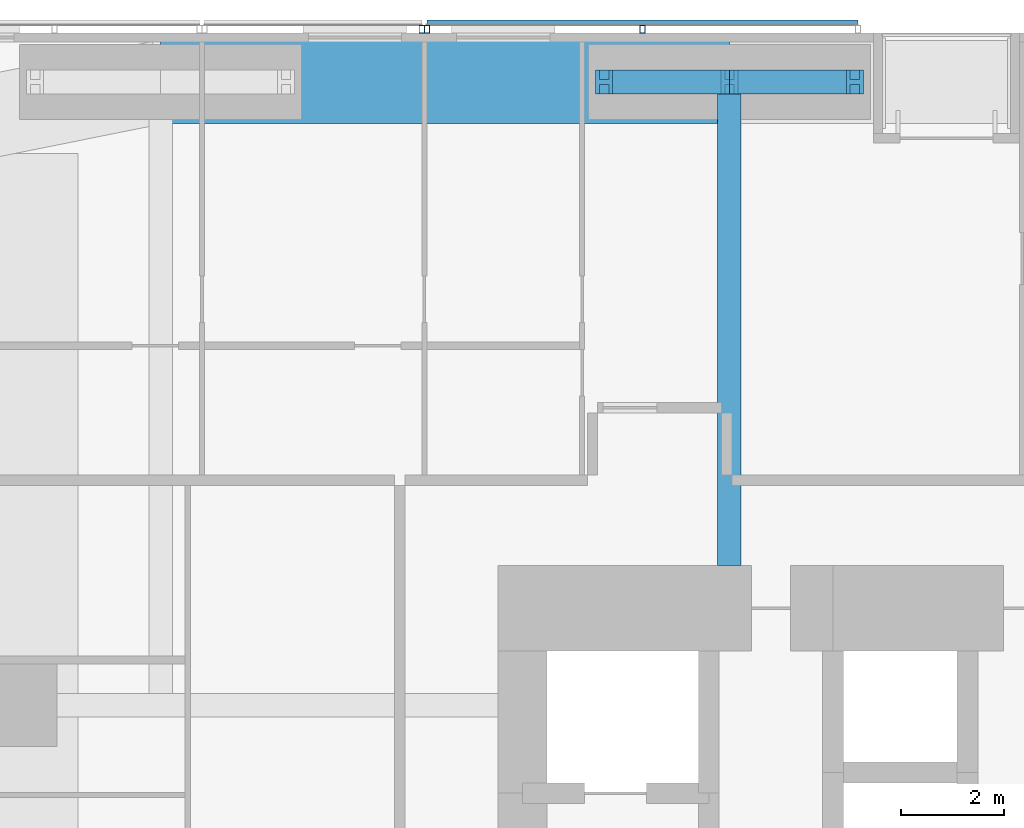
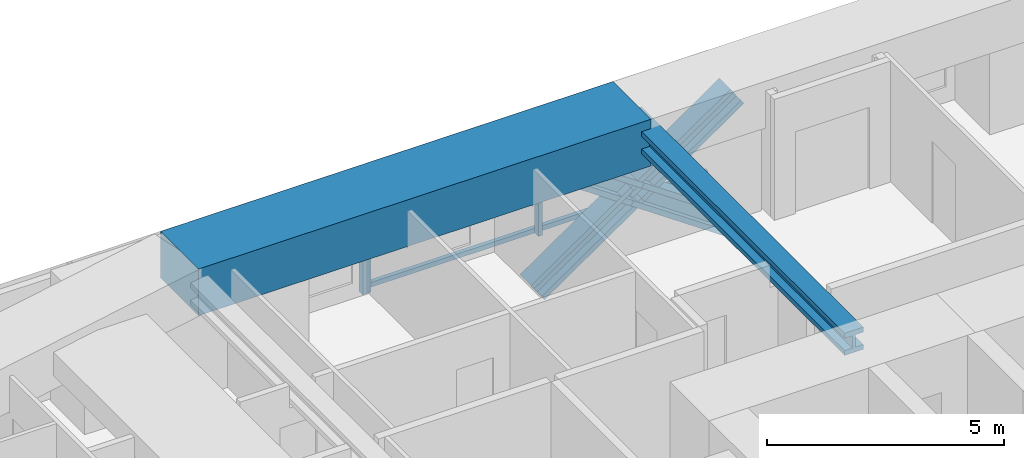
# One storey, part 12 of 23: 8 members, 2 beams, 2 elements without a shape of their own.
"""IFC4 building model written with IfcOpenShell, lengths in metres."""

from ifc_helpers import new_model, si_unit, direction, frame, origin, origin_2d, place, context, subcontext, project, spatial, rectangle, hollow_rectangle, i_section, extrude, material, material_profile, profile_set, type_object, element, aggregate, save


model = new_model("IFC4")

# Units and contexts
model_context = context("Model", 3, precision=1e-05, world=origin(), true_north=direction((0.0, 1.0)))
body_context = subcontext(model_context, "Body", "Model", "MODEL_VIEW")
ifc_project = project(units=[si_unit("LENGTHUNIT", "METRE"), si_unit("AREAUNIT", "SQUARE_METRE"), si_unit("VOLUMEUNIT", "CUBIC_METRE"), si_unit("PLANEANGLEUNIT", "RADIAN"), si_unit("MASSUNIT", "GRAM", prefix="KILO")], contexts=[model_context])

# Site, building, storey
site_placement = place(None, origin())
site = spatial("IfcSite", under=ifc_project, at=site_placement, CompositionType="ELEMENT")
building_placement = place(site_placement, origin())
building = spatial("IfcBuilding", under=site, at=building_placement, Name="Jalousie Tower", CompositionType="ELEMENT")
storey_placement = place(building_placement, frame((0.0, 0.0, 31.050048828125)))
storey = spatial("IfcBuildingStorey", under=building, at=storey_placement, Name="L07", CompositionType="ELEMENT", Elevation=31.050048828125)

# Beam
ifc_material_1 = material(Name="Steel ASTM A992 Grade 50", Category="steel")
ifc_material_profile_1 = material_profile(ifc_material_1, i_section(OverallWidth=0.45458984375, OverallDepth=0.569091796875, WebThickness=0.077880859375, FlangeThickness=0.124755859375, at=origin_2d()), Name="W14X730")
ifc_profile_set_1 = profile_set([ifc_material_profile_1], Name="Steel ASTM A992 Grade 50")
beam_type_1 = type_object("IfcBeamType", Name="LEAN COLLECTOR W14X730", PredefinedType="BEAM", material=ifc_profile_set_1)
beam_1_placement = place(storey_placement, frame((24.0, 37.050048828125, 2.825439453125), z_axis=(0.0, -1.0, 0.0), x_axis=(1.0, 0.0, 0.0)))
element("IfcBeam", 1, at=beam_1_placement, inside=storey, type_object=beam_type_1, Name="Lean collector under L08", PredefinedType="BEAM", context=body_context, shape_type="SweptSolid", body=[
    extrude(i_section(OverallWidth=0.45458984375, OverallDepth=0.569091796875, WebThickness=0.077880859375, FlangeThickness=0.124755859375, at=origin_2d()), origin(), (0.0, 0.0, 1.0), 9.35009765625),
])

# Members
ifc_material_2 = material(Name="Steel ASTM A992 Grade 50", Category="steel")
ifc_material_profile_2 = material_profile(ifc_material_2, i_section(OverallWidth=0.472412109375, OverallDepth=0.5791015625, WebThickness=0.094970703125, FlangeThickness=0.1298828125, at=origin_2d()), Name="W14X808")
ifc_profile_set_2 = profile_set([ifc_material_profile_2], Name="Steel ASTM A992 Grade 50")
member_type_1 = type_object("IfcMemberType", Name="PERIMETER BRACE W14X808", PredefinedType="BRACE", material=ifc_profile_set_2)
for number, where, z_axis, x_axis, name in (
    (2, (21.574951171875, 37.050048828125, -0.60009765625), (0.822800062329, 0.0, 0.568330940062), (0.0, 1.0, 0.0), "Perimeter brace 10 L07 part 1"),
    (3, (24.0, 37.050048828125, 1.074951171875), (0.822800062329, 0.0, 0.568330940062), (0.0, 1.0, 0.0), "Perimeter brace 10 L07 part 2"),
    (4, (26.425048828125, 37.050048828125, -0.60009765625), (-0.822800062329, 0.0, 0.568330940062), (0.0, -1.0, 0.0), "Perimeter brace 10 L07 part 3"),
    (5, (24.0, 37.050048828125, 1.074951171875), (-0.822800062329, 0.0, 0.568330940062), (0.0, -1.0, 0.0), "Perimeter brace 10 L07 part 4"),
):
    element("IfcMember", number, at=place(storey_placement, frame(where, z_axis=z_axis, x_axis=x_axis)), inside=storey, type_object=member_type_1, Name=name, PredefinedType="BRACE", context=body_context, shape_type="SweptSolid", body=[
        extrude(i_section(OverallWidth=0.472412109375, OverallDepth=0.5791015625, WebThickness=0.094970703125, FlangeThickness=0.1298828125, at=origin_2d()), origin(), (0.0, 0.0, 1.0), 2.947265625),
    ])

# Beam
ifc_material_3 = material(Name="Concrete f'c 40 MPa", Category="concrete")
ifc_material_profile_3 = material_profile(ifc_material_3, rectangle(XDim=1.60009765625, YDim=1.199951171875, at=origin_2d()), Name="RC 1600x1200")
ifc_profile_set_3 = profile_set([ifc_material_profile_3], Name="Concrete f'c 40 MPa")
beam_type_2 = type_object("IfcBeamType", Name="RC BEAM 1600x1200", PredefinedType="BEAM", material=ifc_profile_set_3)
beam_2_placement = place(storey_placement, frame((24.0, 37.050048828125, 2.75), z_axis=(-1.0, 0.0, 0.0), x_axis=(0.0, -1.0, 0.0)))
element("IfcBeam", 6, at=beam_2_placement, inside=storey, type_object=beam_type_2, Name="Edge band beam 10-11 under L08", PredefinedType="BEAM", context=body_context, shape_type="SweptSolid", body=[
    extrude(rectangle(XDim=1.60009765625, YDim=1.199951171875, at=origin_2d()), origin(), (0.0, 0.0, 1.0), 11.0),
])

# Curtain wall, members
ifc_material_4 = material(Name="Perforated aluminium sheet", Category="aluminium")
curtain_wall_type = type_object("IfcCurtainWallType", Name="SOLAR SCREEN SS-1", PredefinedType="USERDEFINED", material=ifc_material_4)
curtain_wall_1_placement = place(storey_placement, origin())
curtain_wall_1 = element("IfcCurtainWall", 7, at=curtain_wall_1_placement, inside=storey, type_object=curtain_wall_type, Name="Solar screen L07", ObjectType="SOLAR SCREEN SS-1", PredefinedType="USERDEFINED")
ifc_material_5 = material(Name="Steel ASTM A500 Grade C", Category="steel")
ifc_material_profile_4 = material_profile(ifc_material_5, hollow_rectangle(XDim=0.1015625, YDim=0.15234375, WallThickness=0.00634765625, at=origin_2d()), Name="HSS6X4X1/4")
ifc_profile_set_4 = profile_set([ifc_material_profile_4], Name="Steel ASTM A500 Grade C")
member_type_2 = type_object("IfcMemberType", Name="SOLAR SCREEN SS-1 MULLION", PredefinedType="MULLION", material=ifc_profile_set_4)
member_1_placement = place(storey_placement, frame((22.316650390625, 38.0712890625, -0.1201171875), z_axis=(0.0, 0.0, 1.0), x_axis=(-1.0, 0.0, 0.0)))
member_1 = element("IfcMember", 8, at=member_1_placement, type_object=member_type_2, Name="SS1 post 2", PredefinedType="MULLION", context=body_context, shape_type="SweptSolid", body=[
    extrude(hollow_rectangle(XDim=0.1015625, YDim=0.15234375, WallThickness=0.00634765625, at=origin_2d()), origin(), (0.0, 0.0, 1.0), 3.22998046875),
])
member_2_placement = place(storey_placement, frame((18.14990234375, 38.0712890625, -0.1201171875), z_axis=(0.0, 0.0, 1.0), x_axis=(-1.0, 0.0, 0.0)))
member_2 = element("IfcMember", 9, at=member_2_placement, type_object=member_type_2, Name="SS1 post 3", PredefinedType="MULLION", context=body_context, shape_type="SweptSolid", body=[
    extrude(hollow_rectangle(XDim=0.1015625, YDim=0.15234375, WallThickness=0.00634765625, at=origin_2d()), origin(), (0.0, 0.0, 1.0), 3.22998046875),
])

# Curtain wall, member
curtain_wall_2_placement = place(storey_placement, origin())
curtain_wall_2 = element("IfcCurtainWall", 10, at=curtain_wall_2_placement, inside=storey, type_object=curtain_wall_type, Name="Solar screen L07", ObjectType="SOLAR SCREEN SS-1", PredefinedType="USERDEFINED")
member_3_placement = place(storey_placement, frame((18.050048828125, 38.0712890625, -0.1201171875), z_axis=(0.0, 0.0, 1.0), x_axis=(-1.0, 0.0, 0.0)))
member_3 = element("IfcMember", 11, at=member_3_placement, type_object=member_type_2, Name="SS1 post 1", PredefinedType="MULLION", context=body_context, shape_type="SweptSolid", body=[
    extrude(hollow_rectangle(XDim=0.1015625, YDim=0.15234375, WallThickness=0.00634765625, at=origin_2d()), origin(), (0.0, 0.0, 1.0), 3.22998046875),
])
aggregate(curtain_wall_2, [member_3])

# Member
ifc_material_6 = material(Name="Extruded aluminium screen rail", Category="aluminium")
ifc_material_profile_5 = material_profile(ifc_material_6, rectangle(XDim=0.1015625, YDim=0.1201171875, at=origin_2d()), Name="RAIL 102x120")
ifc_profile_set_5 = profile_set([ifc_material_profile_5], Name="Extruded aluminium screen rail")
member_type_3 = type_object("IfcMemberType", Name="SOLAR SCREEN SS-1 TRANSOM", PredefinedType="USERDEFINED", material=ifc_profile_set_5)
member_4_placement = place(storey_placement, frame((26.483154296875, 38.1982421875, -0.06005859375), z_axis=(-1.0, 0.0, 0.0), x_axis=(0.0, -1.0, 0.0)))
member_4 = element("IfcMember", 12, at=member_4_placement, type_object=member_type_3, Name="SS1 rail", ObjectType="TRANSOM", PredefinedType="USERDEFINED", context=body_context, shape_type="SweptSolid", body=[
    extrude(rectangle(XDim=0.1015625, YDim=0.1201171875, at=origin_2d()), origin(), (0.0, 0.0, 1.0), 8.333251953125),
])

aggregate(curtain_wall_1, [member_1, member_2, member_4])

save(model, "model.ifc")
